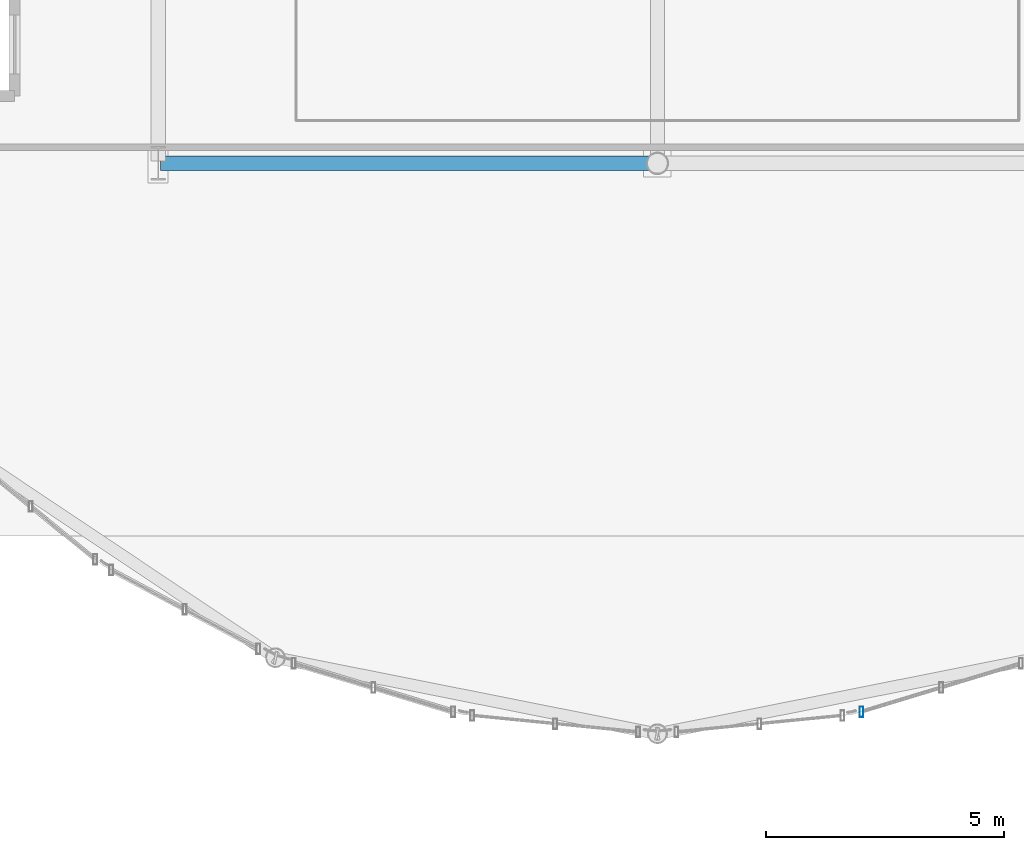
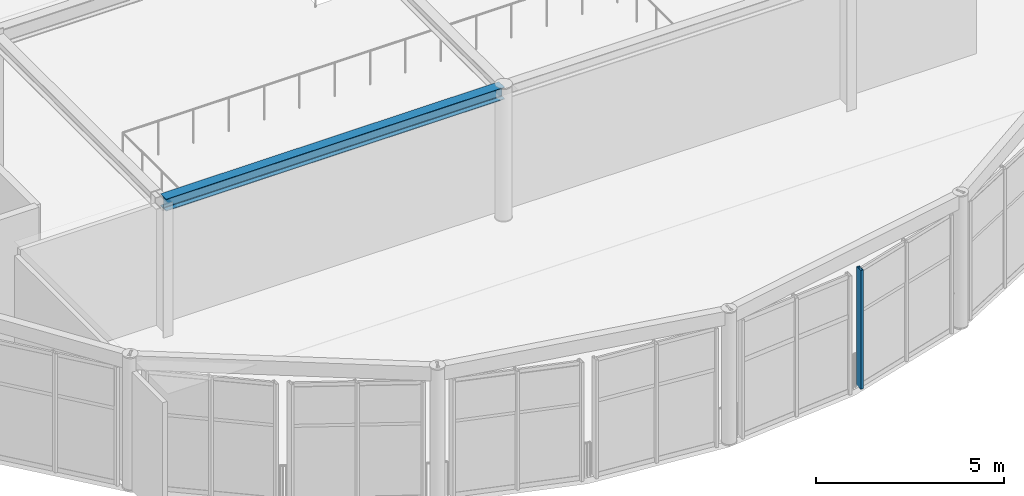
# One storey, part 18 of 105: 1 beam, 1 member, 1 element without a shape of its own.
"""IFC4 building model written with IfcOpenShell, lengths in metres."""

from ifc_helpers import new_model, si_unit, direction, frame, origin, origin_2d, place, context, subcontext, project, spatial, hollow_rectangle, i_section, extrude, material, layer, layer_set, material_profile, profile_set, type_object, element, aggregate, save


model = new_model("IFC4")

# Units and contexts
model_context = context("Model", 3, precision=1e-05, world=origin(), true_north=direction((0.0, 1.0)))
body_context = subcontext(model_context, "Body", "Model", "MODEL_VIEW")
ifc_project = project(units=[si_unit("LENGTHUNIT", "METRE"), si_unit("AREAUNIT", "SQUARE_METRE"), si_unit("VOLUMEUNIT", "CUBIC_METRE"), si_unit("PLANEANGLEUNIT", "RADIAN"), si_unit("MASSUNIT", "GRAM", prefix="KILO")], contexts=[model_context])

# Site, building, storey
site_placement = place(None, origin())
site = spatial("IfcSite", under=ifc_project, at=site_placement, CompositionType="ELEMENT")
building_placement = place(site_placement, origin())
building = spatial("IfcBuilding", under=site, at=building_placement, Name="Marlcrest Central Station", CompositionType="ELEMENT")
storey_placement = place(building_placement, frame((0.0, 0.0, 15.0)))
storey = spatial("IfcBuildingStorey", under=building, at=storey_placement, Name="L03", CompositionType="ELEMENT", Elevation=15.0)

# Beam
ifc_material_1 = material(Name="Steel S355", Category="steel")
ifc_material_profile_1 = material_profile(ifc_material_1, i_section(OverallWidth=0.300048828125, OverallDepth=0.389892578125, WebThickness=0.010986328125, FlangeThickness=0.01904296875, FilletRadius=0.027099609375, at=origin_2d()), Name="HEA 400")
ifc_profile_set_1 = profile_set([ifc_material_profile_1], Name="Steel S355")
beam_type = type_object("IfcBeamType", Name="BM-08", PredefinedType="BEAM", material=ifc_profile_set_1)
beam_placement = place(storey_placement, frame((97.550048828125, 13.5, 4.1298828125), z_axis=(1.0, 0.0, 0.0), x_axis=(0.0, 1.0, 0.0)))
element("IfcBeam", 1, at=beam_placement, inside=storey, type_object=beam_type, Name="bm-BM-08-L03-01413", PredefinedType="BEAM", context=body_context, shape_type="SweptSolid", body=[
    extrude(i_section(OverallWidth=0.300048828125, OverallDepth=0.389892578125, WebThickness=0.010986328125, FlangeThickness=0.01904296875, FilletRadius=0.027099609375, at=origin_2d()), origin(), (0.0, 0.0, 1.0), 10.39990234375),
])

# Curtain wall, member
ifc_material_2 = material(Name="Anodised aluminium and hurricane laminated glass", Category="aluminium")
ifc_layer = layer(ifc_material_2, 0.219970703125, Name="CW-U1")
ifc_layer_set = layer_set([ifc_layer], Name="Anodised aluminium and hurricane laminated glass")
curtain_wall_type = type_object("IfcCurtainWallType", Name="CW-U1", PredefinedType="USERDEFINED", material=ifc_layer_set)
curtain_wall_placement = place(storey_placement, origin())
curtain_wall = element("IfcCurtainWall", 2, at=curtain_wall_placement, inside=storey, type_object=curtain_wall_type, Name="cw-L03-0050", ObjectType="UNITISED_CURTAIN_WALL", PredefinedType="USERDEFINED")
ifc_material_3 = material(Name="Anodised aluminium 6063-T6", Category="aluminium")
ifc_material_profile_2 = material_profile(ifc_material_3, hollow_rectangle(XDim=0.080078125, YDim=0.219970703125, WallThickness=0.006103515625, at=origin_2d()), Name="AA-RHS 220x80x6")
ifc_profile_set_2 = profile_set([ifc_material_profile_2], Name="Anodised aluminium 6063-T6")
member_type = type_object("IfcMemberType", Name="ML-01", PredefinedType="MULLION", material=ifc_profile_set_2)
member_placement = place(storey_placement, frame((112.2939453125, 1.963623046875, -0.030029296875), z_axis=(0.0, 0.0, 1.0), x_axis=(1.0, 0.0, 0.0)))
member = element("IfcMember", 3, at=member_placement, type_object=member_type, Name="cw-L03-0050-ml-2", PredefinedType="MULLION", context=body_context, shape_type="SweptSolid", body=[
    extrude(hollow_rectangle(XDim=0.080078125, YDim=0.219970703125, WallThickness=0.006103515625, at=origin_2d()), origin(), (0.0, 0.0, 1.0), 3.860107421875),
])
aggregate(curtain_wall, [member])

save(model, "model.ifc")
